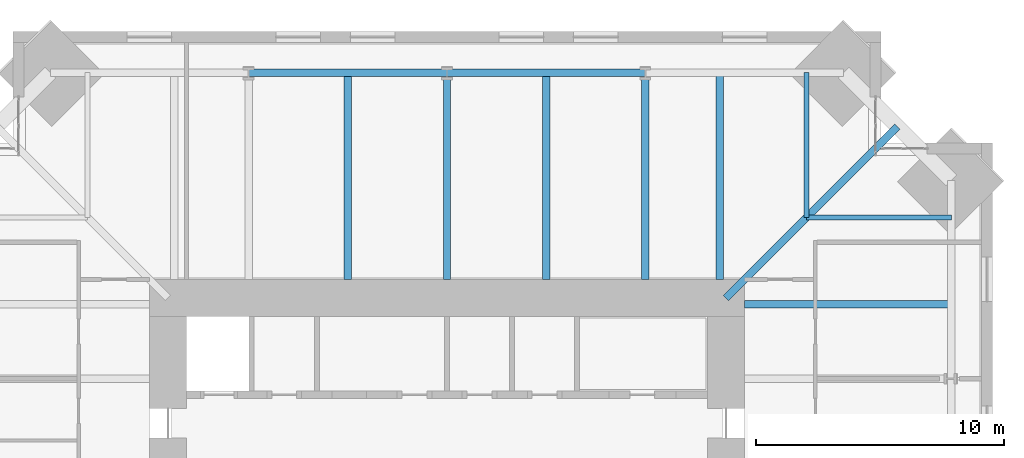
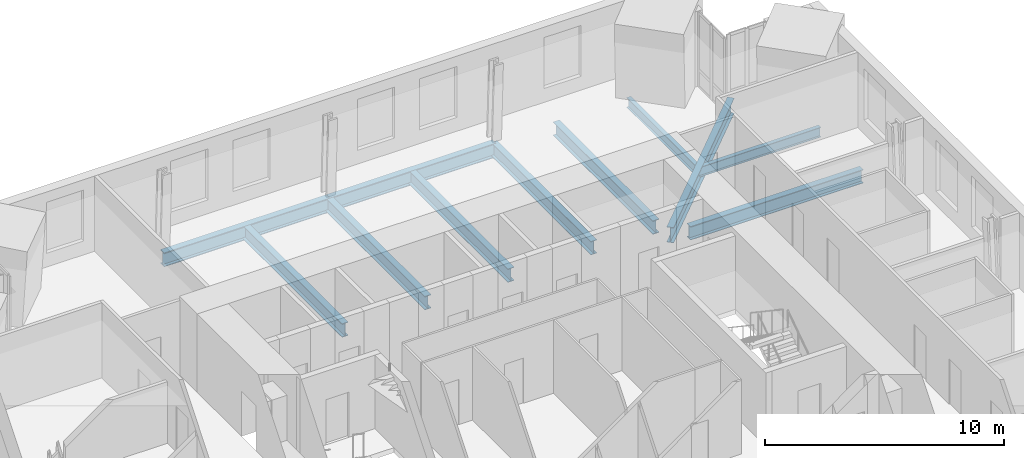
# One storey, part 7 of 16: 11 beams.
"""IFC4 building model written with IfcOpenShell, lengths in metres."""

from ifc_helpers import new_model, si_unit, direction, frame, origin, origin_2d, place, context, subcontext, project, spatial, i_section, extrude, material, material_profile, profile_set, type_object, element, save


model = new_model("IFC4")

# Units and contexts
model_context = context("Model", 3, precision=1e-05, world=origin(), true_north=direction((0.0, 1.0)))
body_context = subcontext(model_context, "Body", "Model", "MODEL_VIEW")
ifc_project = project(units=[si_unit("LENGTHUNIT", "METRE"), si_unit("AREAUNIT", "SQUARE_METRE"), si_unit("VOLUMEUNIT", "CUBIC_METRE"), si_unit("PLANEANGLEUNIT", "RADIAN"), si_unit("MASSUNIT", "GRAM", prefix="KILO")], contexts=[model_context])

# Site, building, storey
site_placement = place(None, origin())
site = spatial("IfcSite", under=ifc_project, at=site_placement, CompositionType="ELEMENT")
building_placement = place(site_placement, origin())
building = spatial("IfcBuilding", under=site, at=building_placement, Name="Peilmerk Tower", CompositionType="ELEMENT")
storey_placement = place(building_placement, frame((0.0, 0.0, 261.800048828125)))
storey = spatial("IfcBuildingStorey", under=building, at=storey_placement, Name="L58", CompositionType="ELEMENT", Elevation=261.800048828125)

# Beams
ifc_material = material(Name="Steel S355", Category="steel")
ifc_material_profile_1 = material_profile(ifc_material, i_section(OverallWidth=0.300048828125, OverallDepth=0.68994140625, WebThickness=0.014404296875, FlangeThickness=0.027099609375, at=origin_2d()), Name="HEA 700")
ifc_profile_set_1 = profile_set([ifc_material_profile_1], Name="Steel S355")
beam_type_1 = type_object("IfcBeamType", Name="B16 HEA 700 floor beam", PredefinedType="BEAM", material=ifc_profile_set_1)
for number, where, z_axis, x_axis, name in (
    (1, (11.0, 12.0, -0.51513671875), (0.0, 1.0, 0.0), (-1.0, 0.0, 0.0), "Floor beam L58"),
    (2, (8.0, 12.0, -0.51513671875), (0.0, 1.0, 0.0), (-1.0, 0.0, 0.0), "Floor beam L58"),
    (3, (4.0, 12.0, -0.51513671875), (0.0, 1.0, 0.0), (-1.0, 0.0, 0.0), "Floor beam L58"),
    (4, (0.0, 12.0, -0.51513671875), (0.0, 1.0, 0.0), (-1.0, 0.0, 0.0), "Floor beam L58"),
    (5, (-4.0, 12.0, -0.51513671875), (0.0, 1.0, 0.0), (-1.0, 0.0, 0.0), "Floor beam L58"),
    (6, (12.0, 11.0, -0.51513671875), (1.0, 0.0, 0.0), (0.0, 1.0, 0.0), "Floor beam L58"),
):
    element("IfcBeam", number, at=place(storey_placement, frame(where, z_axis=z_axis, x_axis=x_axis)), inside=storey, type_object=beam_type_1, Name=name, PredefinedType="BEAM", context=body_context, shape_type="SweptSolid", body=[
        extrude(i_section(OverallWidth=0.300048828125, OverallDepth=0.68994140625, WebThickness=0.014404296875, FlangeThickness=0.027099609375, at=origin_2d()), origin(), (0.0, 0.0, 1.0), 8.34033203125),
    ])
ifc_material_profile_2 = material_profile(ifc_material, i_section(OverallWidth=0.300048828125, OverallDepth=0.7900390625, WebThickness=0.014892578125, FlangeThickness=0.028076171875, at=origin_2d()), Name="HEA 800")
ifc_profile_set_2 = profile_set([ifc_material_profile_2], Name="Steel S355")
beam_type_2 = type_object("IfcBeamType", Name="B3 HEA 800 floor beam", PredefinedType="BEAM", material=ifc_profile_set_2)
beam_placement = place(storey_placement, frame((11.25, 11.25, -0.56494140625), z_axis=(0.707106781187, 0.707106781187, 0.0), x_axis=(-0.707106781187, 0.707106781187, 0.0)))
element("IfcBeam", 7, at=beam_placement, inside=storey, type_object=beam_type_2, Name="Corner girder L58", PredefinedType="BEAM", context=body_context, shape_type="SweptSolid", body=[
    extrude(i_section(OverallWidth=0.300048828125, OverallDepth=0.7900390625, WebThickness=0.014892578125, FlangeThickness=0.028076171875, at=origin_2d()), origin(), (0.0, 0.0, 1.0), 9.77978515625),
])
ifc_material_profile_3 = material_profile(ifc_material, i_section(OverallWidth=0.303955078125, OverallDepth=0.716064453125, WebThickness=0.02099609375, FlangeThickness=0.0400390625, at=origin_2d()), Name="HEM 700")
ifc_profile_set_3 = profile_set([ifc_material_profile_3], Name="Steel S355")
beam_type_3 = type_object("IfcBeamType", Name="B30 HEM 700 edge beam", PredefinedType="SPANDREL", material=ifc_profile_set_3)
for number, where, z_axis, x_axis, name in (
    (8, (8.0, 20.34033203125, -0.528076171875), (-1.0, 0.0, 0.0), (0.0, -1.0, 0.0), "Edge beam L58"),
    (9, (0.0, 20.34033203125, -0.528076171875), (-1.0, 0.0, 0.0), (0.0, -1.0, 0.0), "Edge beam L58"),
):
    element("IfcBeam", number, at=place(storey_placement, frame(where, z_axis=z_axis, x_axis=x_axis)), inside=storey, type_object=beam_type_3, Name=name, PredefinedType="SPANDREL", context=body_context, shape_type="SweptSolid", body=[
        extrude(i_section(OverallWidth=0.303955078125, OverallDepth=0.716064453125, WebThickness=0.02099609375, FlangeThickness=0.0400390625, at=origin_2d()), origin(), (0.0, 0.0, 1.0), 8.0),
    ])
ifc_material_profile_4 = material_profile(ifc_material, i_section(OverallWidth=0.199951171875, OverallDepth=0.5, WebThickness=0.01025390625, FlangeThickness=0.01611328125, at=origin_2d()), Name="IPE 500")
ifc_profile_set_4 = profile_set([ifc_material_profile_4], Name="Steel S355")
beam_type_4 = type_object("IfcBeamType", Name="B32 IPE 500 floor beam", PredefinedType="BEAM", material=ifc_profile_set_4)
for number, where, z_axis, x_axis, name in (
    (10, (14.5, 14.5, -0.420166015625), (0.0, 1.0, 0.0), (-1.0, 0.0, 0.0), "Floor beam L58"),
    (11, (14.5, 14.5, -0.420166015625), (1.0, 0.0, 0.0), (0.0, 1.0, 0.0), "Floor beam L58"),
):
    element("IfcBeam", number, at=place(storey_placement, frame(where, z_axis=z_axis, x_axis=x_axis)), inside=storey, type_object=beam_type_4, Name=name, PredefinedType="BEAM", context=body_context, shape_type="SweptSolid", body=[
        extrude(i_section(OverallWidth=0.199951171875, OverallDepth=0.5, WebThickness=0.01025390625, FlangeThickness=0.01611328125, at=origin_2d()), origin(), (0.0, 0.0, 1.0), 5.84033203125),
    ])

save(model, "model.ifc")
